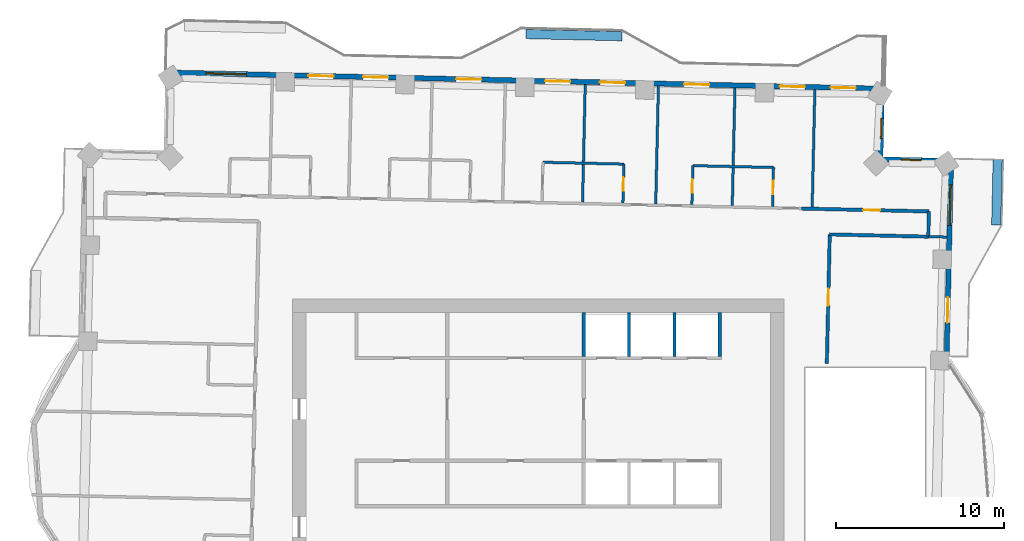
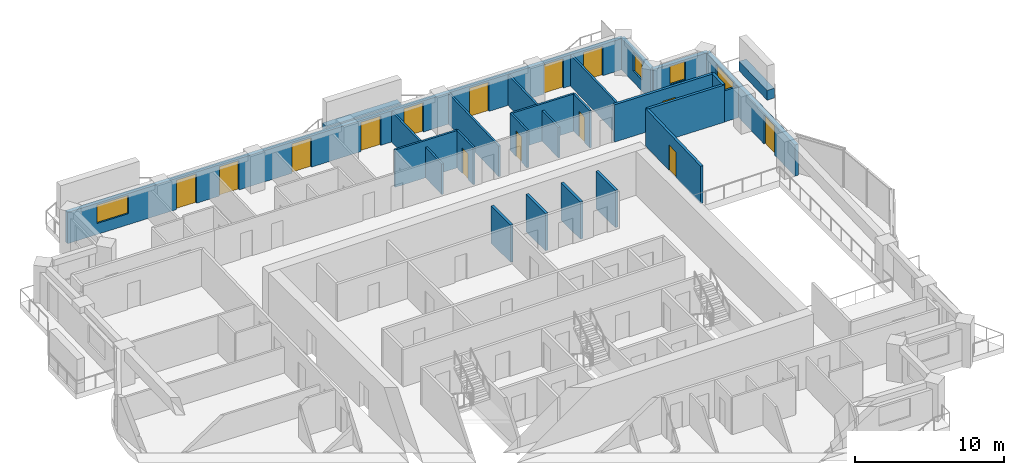
# One storey, part 11 of 16: 24 walls, 14 doors, 4 windows, 18 openings.
"""IFC4 building model written with IfcOpenShell, lengths in metres."""

from ifc_helpers import new_model, si_unit, direction, frame, frame_2d, origin, place, context, subcontext, project, spatial, rectangle, extrude, material, layer, layer_set, type_object, element, fill, save


model = new_model("IFC4")

# Units and contexts
model_context = context("Model", 3, precision=1e-05, world=origin(), true_north=direction((0.0, 1.0)))
body_context = subcontext(model_context, "Body", "Model", "MODEL_VIEW")
ifc_project = project(units=[si_unit("LENGTHUNIT", "METRE"), si_unit("AREAUNIT", "SQUARE_METRE"), si_unit("VOLUMEUNIT", "CUBIC_METRE"), si_unit("PLANEANGLEUNIT", "RADIAN"), si_unit("MASSUNIT", "GRAM", prefix="KILO")], contexts=[model_context])

# Site, building, storey
site_placement = place(None, origin())
site = spatial("IfcSite", under=ifc_project, at=site_placement, CompositionType="ELEMENT")
building_placement = place(site_placement, origin())
building = spatial("IfcBuilding", under=site, at=building_placement, Name="Mangrove Gate Tower", CompositionType="ELEMENT")
storey_placement = place(building_placement, frame((0.0, 0.0, 212.300048828125)))
storey = spatial("IfcBuildingStorey", under=building, at=storey_placement, Name="L54", CompositionType="ELEMENT", Elevation=212.300048828125)

# Walls
ifc_material_1 = material(Name="Concrete C60/75", Category="concrete")
ifc_layer_1 = layer(ifc_material_1, 0.199951171875)
ifc_layer_set_1 = layer_set([ifc_layer_1], Name="Core shaft wall 200 C60/75")
wall_type_1 = type_object("IfcWallType", Name="Core shaft wall 200 C60/75", PredefinedType="SHEAR", material=ifc_layer_set_1)
for number, where, z_axis, x_axis, name in (
    (1, (2.699951171875, 8.199951171875, 0.0), (0.0, 0.0, 1.0), (0.0, 1.0, 0.0), "WALL-L54-CORE-27"),
    (2, (5.39990234375, 8.199951171875, 0.0), (0.0, 0.0, 1.0), (0.0, 1.0, 0.0), "WALL-L54-CORE-28"),
    (3, (8.10009765625, 8.199951171875, 0.0), (0.0, 0.0, 1.0), (0.0, 1.0, 0.0), "WALL-L54-CORE-29"),
    (4, (10.800048828125, 8.199951171875, 0.0), (0.0, 0.0, 1.0), (0.0, 1.0, 0.0), "WALL-L54-CORE-30"),
):
    element("IfcWall", number, at=place(storey_placement, frame(where, z_axis=z_axis, x_axis=x_axis)), inside=storey, type_object=wall_type_1, Name=name, PredefinedType="SHEAR", context=body_context, shape_type="SweptSolid", body=[
        extrude(rectangle(XDim=2.60009765625, YDim=0.199951171875, at=frame_2d((1.300048828125, 0.0))), origin(), (0.0, 0.0, 1.0), 3.050048828125),
    ])

# Wall, opening, door
ifc_material_2 = material(Name="Gypsum board on steel stud, EI 60", Category="steel")
ifc_layer_2 = layer(ifc_material_2, 0.199951171875)
ifc_layer_set_2 = layer_set([ifc_layer_2], Name="Corridor wall EI 60")
wall_type_2 = type_object("IfcWallType", Name="Corridor wall EI 60", PredefinedType="PARTITIONING", material=ifc_layer_set_2)
wall_1_placement = place(storey_placement, frame((17.154052734375, 7.785888671875, 0.0), z_axis=(0.0, 0.0, 1.0), x_axis=(0.022680883318, 0.999742755679, 0.0)))
wall_1 = element("IfcWall", 5, at=wall_1_placement, inside=storey, type_object=wall_type_2, Name="WALL-L54-043", PredefinedType="PARTITIONING", context=body_context, shape_type="SweptSolid", body=[
    extrude(rectangle(XDim=7.6640625, YDim=0.199951171875, at=frame_2d((3.83203125, 0.0))), origin(), (0.0, 0.0, 1.0), 3.050048828125),
])
opening_1_placement = place(wall_1_placement, frame((3.43408203125, 0.0, 0.0)))
opening_1 = element("IfcOpeningElement", 6, at=opening_1_placement, cuts=wall_1, Name="Opening AD", PredefinedType="OPENING", context=body_context, shape_type="SweptSolid", body=[
    extrude(rectangle(XDim=1.0, YDim=2.10009765625, at=frame_2d((0.5, 1.050048828125))), frame((0.0, 0.10986328125, 0.0), z_axis=(0.0, -1.0, 0.0), x_axis=(1.0, 0.0, 0.0)), (0.0, 0.0, 1.0), 0.219970703125),
])
ifc_material_3 = material(Name="Timber door leaf", Category="wood")
door_type_1 = type_object("IfcDoorType", Name="Amenity door 1000", OperationType="SINGLE_SWING_LEFT", PredefinedType="DOOR", material=ifc_material_3)
door_1_placement = place(opening_1_placement, origin())
door_1 = element("IfcDoor", 7, at=door_1_placement, inside=storey, type_object=door_type_1, Name="DOOR-L54-LNG-c3b", OperationType="SINGLE_SWING_RIGHT", OverallHeight=2.10009765625, OverallWidth=1.0, PredefinedType="DOOR", context=body_context, shape_type="SweptSolid", body=[
    extrude(rectangle(XDim=1.0, YDim=2.10009765625, at=frame_2d((0.5, 1.050048828125))), frame((0.0, 0.02490234375, 0.0), z_axis=(0.0, -1.0, 0.0), x_axis=(1.0, 0.0, 0.0)), (0.0, 0.0, 1.0), 0.050048828125),
])
fill(opening_1, door_1)

# Walls
wall_2_placement = place(storey_placement, frame((17.322998046875, 15.444091796875, 0.0), z_axis=(0.0, 0.0, 1.0), x_axis=(0.999742758565, -0.022680756085, 0.0)))
element("IfcWall", 8, at=wall_2_placement, inside=storey, type_object=wall_type_2, Name="WALL-L54-047", PredefinedType="PARTITIONING", context=body_context, shape_type="SweptSolid", body=[
    extrude(rectangle(XDim=5.866455078125, YDim=0.199951171875, at=frame_2d((2.93310546875, 0.0))), origin(), (0.0, 0.0, 1.0), 3.050048828125),
])
wall_3_placement = place(storey_placement, frame((23.18603515625, 15.31494140625, 0.0), z_axis=(0.0, 0.0, 1.0), x_axis=(0.022617910375, 0.999744182344, 0.0)))
element("IfcWall", 9, at=wall_3_placement, inside=storey, type_object=wall_type_2, Name="WALL-L54-050", PredefinedType="PARTITIONING", context=body_context, shape_type="SweptSolid", body=[
    extrude(rectangle(XDim=1.50048828125, YDim=0.199951171875, at=frame_2d((0.750244140625, 0.0))), origin(), (0.0, 0.0, 1.0), 3.050048828125),
])

# Wall, opening, door
wall_4_placement = place(storey_placement, frame((15.657958984375, 16.98193359375, 0.0), z_axis=(0.0, 0.0, 1.0), x_axis=(0.99974485859, -0.022587999516, 0.0)))
wall_4 = element("IfcWall", 10, at=wall_4_placement, inside=storey, type_object=wall_type_2, Name="WALL-L54-053", PredefinedType="PARTITIONING", context=body_context, shape_type="SweptSolid", body=[
    extrude(rectangle(XDim=7.56591796875, YDim=0.199951171875, at=frame_2d((3.782958984375, 0.0))), origin(), (0.0, 0.0, 1.0), 3.050048828125),
])
opening_2_placement = place(wall_4_placement, frame((3.657958984375, 0.0, 0.0)))
opening_2 = element("IfcOpeningElement", 11, at=opening_2_placement, cuts=wall_4, Name="Opening AD", PredefinedType="OPENING", context=body_context, shape_type="SweptSolid", body=[
    extrude(rectangle(XDim=1.0, YDim=2.10009765625, at=frame_2d((0.5, 1.050048828125))), frame((0.0, 0.10986328125, 0.0), z_axis=(0.0, -1.0, 0.0), x_axis=(1.0, 0.0, 0.0)), (0.0, 0.0, 1.0), 0.219970703125),
])
door_2_placement = place(opening_2_placement, origin())
door_2 = element("IfcDoor", 12, at=door_2_placement, inside=storey, type_object=door_type_1, Name="DOOR-L54-STU-c3a", OperationType="SINGLE_SWING_LEFT", OverallHeight=2.10009765625, OverallWidth=1.0, PredefinedType="DOOR", context=body_context, shape_type="SweptSolid", body=[
    extrude(rectangle(XDim=1.0, YDim=2.10009765625, at=frame_2d((0.5, 1.050048828125))), frame((0.0, 0.02490234375, 0.0), z_axis=(0.0, -1.0, 0.0), x_axis=(1.0, 0.0, 0.0)), (0.0, 0.0, 1.0), 0.050048828125),
])
fill(opening_2, door_2)

# Wall, openings, door, window
ifc_material_4 = material(Name="Limestone", Category="masonry")
ifc_layer_3 = layer(ifc_material_4, 0.0400390625, Name="Limestone cladding")
ifc_material_5 = material(Name="Ventilated air gap")
ifc_layer_4 = layer(ifc_material_5, 0.0400390625, Name="Ventilated cavity")
ifc_material_6 = material(Name="Mineral wool insulation")
ifc_layer_5 = layer(ifc_material_6, 0.06005859375, Name="Insulation")
ifc_material_7 = material(Name="Breather membrane")
ifc_layer_6 = layer(ifc_material_7, 0.001953125, Name="Breather membrane")
ifc_material_8 = material(Name="Concrete C20/25 blockwork", Category="masonry")
ifc_layer_7 = layer(ifc_material_8, 0.14990234375, Name="Blockwork backing wall")
ifc_material_9 = material(Name="Gypsum plaster")
ifc_layer_8 = layer(ifc_material_9, 0.008056640625, Name="Internal plaster")
ifc_layer_set_3 = layer_set([ifc_layer_3, ifc_layer_4, ifc_layer_5, ifc_layer_6, ifc_layer_7, ifc_layer_8], Name="External wall 300 limestone cladding")
wall_type_3 = type_object("IfcWallType", Name="External wall 300 limestone cladding", PredefinedType="SOLIDWALL", material=ifc_layer_set_3)
wall_5_placement = place(storey_placement, frame((24.259033203125, 7.39111328125, 0.0), z_axis=(0.0, 0.0, 1.0), x_axis=(0.022696408441, 0.999742403344, 0.0)))
wall_5 = element("IfcWall", 13, at=wall_5_placement, inside=storey, type_object=wall_type_3, Name="WALL-L54-E2s1", PredefinedType="SOLIDWALL", context=body_context, shape_type="SweptSolid", body=[
    extrude(rectangle(XDim=12.424072265625, YDim=0.300048828125, at=frame_2d((6.2119140625, 0.0))), origin(), (0.0, 0.0, 1.0), 2.550048828125),
])
opening_3_placement = place(wall_5_placement, frame((2.805908203125, 0.0, 0.0)))
opening_3 = element("IfcOpeningElement", 14, at=opening_3_placement, cuts=wall_5, Name="Opening BD1", PredefinedType="OPENING", context=body_context, shape_type="SweptSolid", body=[
    extrude(rectangle(XDim=1.5, YDim=2.39990234375, at=frame_2d((0.75, 1.199951171875))), frame((0.0, 0.159912109375, 0.0), z_axis=(0.0, -1.0, 0.0), x_axis=(1.0, 0.0, 0.0)), (0.0, 0.0, 1.0), 0.320068359375),
])
opening_4_placement = place(wall_5_placement, frame((8.595947265625, 0.0, 0.89990234375)))
opening_4 = element("IfcOpeningElement", 15, at=opening_4_placement, cuts=wall_5, Name="Opening W2", PredefinedType="OPENING", context=body_context, shape_type="SweptSolid", body=[
    extrude(rectangle(XDim=2.39990234375, YDim=1.5, at=frame_2d((1.199951171875, 0.75))), frame((0.0, 0.159912109375, 0.0), z_axis=(0.0, -1.0, 0.0), x_axis=(1.0, 0.0, 0.0)), (0.0, 0.0, 1.0), 0.320068359375),
])
ifc_material_10 = material(Name="Aluminium frame with laminated clear glass", Category="aluminium")
door_type_2 = type_object("IfcDoorType", Name="Balcony sliding door 1500x2400", OperationType="SLIDING_TO_LEFT", PredefinedType="DOOR", material=ifc_material_10)
door_3_placement = place(opening_3_placement, origin())
door_3 = element("IfcDoor", 16, at=door_3_placement, inside=storey, type_object=door_type_2, Name="DOOR-L54-E2-1", OperationType="SLIDING_TO_LEFT", OverallHeight=2.39990234375, OverallWidth=1.5, PredefinedType="DOOR", context=body_context, shape_type="SweptSolid", body=[
    extrude(rectangle(XDim=1.5, YDim=2.39990234375, at=frame_2d((0.75, 1.199951171875))), frame((0.0, 0.02490234375, 0.0), z_axis=(0.0, -1.0, 0.0), x_axis=(1.0, 0.0, 0.0)), (0.0, 0.0, 1.0), 0.050048828125),
])
fill(opening_3, door_3)
ifc_material_11 = material(Name="Aluminium frame with double-glazed low-e glass", Category="aluminium")
window_type_1 = type_object("IfcWindowType", Name="Corner room window 2400x1500", PartitioningType="DOUBLE_PANEL_VERTICAL", PredefinedType="WINDOW", material=ifc_material_11)
window_1_placement = place(opening_4_placement, origin())
window_1 = element("IfcWindow", 17, at=window_1_placement, inside=storey, type_object=window_type_1, Name="WIN-L54-E2-2", OverallHeight=1.5, OverallWidth=2.39990234375, PartitioningType="DOUBLE_PANEL_VERTICAL", PredefinedType="WINDOW", context=body_context, shape_type="SweptSolid", body=[
    extrude(rectangle(XDim=2.39990234375, YDim=1.5, at=frame_2d((1.199951171875, 0.75))), frame((0.0, 0.030029296875, 0.0), z_axis=(0.0, -1.0, 0.0), x_axis=(1.0, 0.0, 0.0)), (0.0, 0.0, 1.0), 0.06005859375),
])
fill(opening_4, window_1)

# Wall, opening, window
wall_6_placement = place(storey_placement, frame((24.541015625, 19.81201171875, 0.0), z_axis=(0.0, 0.0, 1.0), x_axis=(-0.999744320311, 0.022611811187, 0.0)))
wall_6 = element("IfcWall", 18, at=wall_6_placement, inside=storey, type_object=wall_type_3, Name="WALL-L54-N3", PredefinedType="SOLIDWALL", context=body_context, shape_type="SweptSolid", body=[
    extrude(rectangle(XDim=4.199951171875, YDim=0.300048828125, at=frame_2d((2.10009765625, 0.0))), origin(), (0.0, 0.0, 1.0), 2.550048828125),
])
opening_5_placement = place(wall_6_placement, frame((1.763916015625, 0.0, 0.89990234375)))
opening_5 = element("IfcOpeningElement", 19, at=opening_5_placement, cuts=wall_6, Name="Opening W1", PredefinedType="OPENING", context=body_context, shape_type="SweptSolid", body=[
    extrude(rectangle(XDim=1.199951171875, YDim=1.5, at=frame_2d((0.60009765625, 0.75))), frame((0.0, 0.159912109375, 0.0), z_axis=(0.0, -1.0, 0.0), x_axis=(1.0, 0.0, 0.0)), (0.0, 0.0, 1.0), 0.320068359375),
])
ifc_material_12 = material(Name="Aluminium frame with double-glazed low-e glass", Category="aluminium")
window_type_2 = type_object("IfcWindowType", Name="Side lite 1200x1500", PartitioningType="SINGLE_PANEL", PredefinedType="WINDOW", material=ifc_material_12)
window_2_placement = place(opening_5_placement, origin())
window_2 = element("IfcWindow", 20, at=window_2_placement, inside=storey, type_object=window_type_2, Name="WIN-L54-N3-1", OverallHeight=1.5, OverallWidth=1.199951171875, PartitioningType="SINGLE_PANEL", PredefinedType="WINDOW", context=body_context, shape_type="SweptSolid", body=[
    extrude(rectangle(XDim=1.199951171875, YDim=1.5, at=frame_2d((0.60009765625, 0.75))), frame((0.0, 0.030029296875, 0.0), z_axis=(0.0, -1.0, 0.0), x_axis=(1.0, 0.0, 0.0)), (0.0, 0.0, 1.0), 0.06005859375),
])
fill(opening_5, window_2)

wall_7_placement = place(storey_placement, frame((20.342041015625, 19.906982421875, 0.0), z_axis=(0.0, 0.0, 1.0), x_axis=(0.022611811187, 0.999744320311, 0.0)))
wall_7 = element("IfcWall", 21, at=wall_7_placement, inside=storey, type_object=wall_type_3, Name="WALL-L54-E4", PredefinedType="SOLIDWALL", context=body_context, shape_type="SweptSolid", body=[
    extrude(rectangle(XDim=4.199951171875, YDim=0.300048828125, at=frame_2d((2.10009765625, 0.0))), origin(), (0.0, 0.0, 1.0), 2.550048828125),
])
opening_6_placement = place(wall_7_placement, frame((1.23095703125, 0.0, 0.89990234375)))
opening_6 = element("IfcOpeningElement", 22, at=opening_6_placement, cuts=wall_7, Name="Opening W1", PredefinedType="OPENING", context=body_context, shape_type="SweptSolid", body=[
    extrude(rectangle(XDim=1.199951171875, YDim=1.5, at=frame_2d((0.60009765625, 0.75))), frame((0.0, 0.159912109375, 0.0), z_axis=(0.0, -1.0, 0.0), x_axis=(1.0, 0.0, 0.0)), (0.0, 0.0, 1.0), 0.320068359375),
])
window_3_placement = place(opening_6_placement, origin())
window_3 = element("IfcWindow", 23, at=window_3_placement, inside=storey, type_object=window_type_2, Name="WIN-L54-E4-1", OverallHeight=1.5, OverallWidth=1.199951171875, PartitioningType="SINGLE_PANEL", PredefinedType="WINDOW", context=body_context, shape_type="SweptSolid", body=[
    extrude(rectangle(XDim=1.199951171875, YDim=1.5, at=frame_2d((0.60009765625, 0.75))), frame((0.0, 0.030029296875, 0.0), z_axis=(0.0, -1.0, 0.0), x_axis=(1.0, 0.0, 0.0)), (0.0, 0.0, 1.0), 0.06005859375),
])
fill(opening_6, window_3)

# Wall, openings, doors, window
wall_8_placement = place(storey_placement, frame((20.43701171875, 24.10595703125, 0.0), z_axis=(0.0, 0.0, 1.0), x_axis=(-0.999742506232, 0.022691875925, 0.0)))
wall_8 = element("IfcWall", 24, at=wall_8_placement, inside=storey, type_object=wall_type_3, Name="WALL-L54-N5", PredefinedType="SOLIDWALL", context=body_context, shape_type="SweptSolid", body=[
    extrude(rectangle(XDim=42.444091796875, YDim=0.300048828125, at=frame_2d((21.22216796875, 0.0))), origin(), (0.0, 0.0, 1.0), 2.550048828125),
])
opening_7_placement = place(wall_8_placement, frame((1.56298828125, 0.0, 0.0)))
opening_7 = element("IfcOpeningElement", 25, at=opening_7_placement, cuts=wall_8, Name="Opening BD1", PredefinedType="OPENING", context=body_context, shape_type="SweptSolid", body=[
    extrude(rectangle(XDim=1.5, YDim=2.39990234375, at=frame_2d((0.75, 1.199951171875))), frame((0.0, 0.159912109375, 0.0), z_axis=(0.0, -1.0, 0.0), x_axis=(1.0, 0.0, 0.0)), (0.0, 0.0, 1.0), 0.320068359375),
])
opening_8_placement = place(wall_8_placement, frame((4.583984375, 0.0, 0.0)))
opening_8 = element("IfcOpeningElement", 26, at=opening_8_placement, cuts=wall_8, Name="Opening BD1", PredefinedType="OPENING", context=body_context, shape_type="SweptSolid", body=[
    extrude(rectangle(XDim=1.5, YDim=2.39990234375, at=frame_2d((0.75, 1.199951171875))), frame((0.0, 0.159912109375, 0.0), z_axis=(0.0, -1.0, 0.0), x_axis=(1.0, 0.0, 0.0)), (0.0, 0.0, 1.0), 0.320068359375),
])
opening_9_placement = place(wall_8_placement, frame((10.26904296875, 0.0, 0.0)))
opening_9 = element("IfcOpeningElement", 27, at=opening_9_placement, cuts=wall_8, Name="Opening BD1", PredefinedType="OPENING", context=body_context, shape_type="SweptSolid", body=[
    extrude(rectangle(XDim=1.5, YDim=2.39990234375, at=frame_2d((0.75, 1.199951171875))), frame((0.0, 0.159912109375, 0.0), z_axis=(0.0, -1.0, 0.0), x_axis=(1.0, 0.0, 0.0)), (0.0, 0.0, 1.0), 0.320068359375),
])
opening_10_placement = place(wall_8_placement, frame((15.27099609375, 0.0, 0.0)))
opening_10 = element("IfcOpeningElement", 28, at=opening_10_placement, cuts=wall_8, Name="Opening BD1", PredefinedType="OPENING", context=body_context, shape_type="SweptSolid", body=[
    extrude(rectangle(XDim=1.5, YDim=2.39990234375, at=frame_2d((0.75, 1.199951171875))), frame((0.0, 0.159912109375, 0.0), z_axis=(0.0, -1.0, 0.0), x_axis=(1.0, 0.0, 0.0)), (0.0, 0.0, 1.0), 0.320068359375),
])
opening_11_placement = place(wall_8_placement, frame((18.532958984375, 0.0, 0.0)))
opening_11 = element("IfcOpeningElement", 29, at=opening_11_placement, cuts=wall_8, Name="Opening BD1", PredefinedType="OPENING", context=body_context, shape_type="SweptSolid", body=[
    extrude(rectangle(XDim=1.5, YDim=2.39990234375, at=frame_2d((0.75, 1.199951171875))), frame((0.0, 0.159912109375, 0.0), z_axis=(0.0, -1.0, 0.0), x_axis=(1.0, 0.0, 0.0)), (0.0, 0.0, 1.0), 0.320068359375),
])
opening_12_placement = place(wall_8_placement, frame((23.819091796875, 0.0, 0.0)))
opening_12 = element("IfcOpeningElement", 30, at=opening_12_placement, cuts=wall_8, Name="Opening BD1", PredefinedType="OPENING", context=body_context, shape_type="SweptSolid", body=[
    extrude(rectangle(XDim=1.5, YDim=2.39990234375, at=frame_2d((0.75, 1.199951171875))), frame((0.0, 0.159912109375, 0.0), z_axis=(0.0, -1.0, 0.0), x_axis=(1.0, 0.0, 0.0)), (0.0, 0.0, 1.0), 0.320068359375),
])
opening_13_placement = place(wall_8_placement, frame((29.344970703125, 0.0, 0.0)))
opening_13 = element("IfcOpeningElement", 31, at=opening_13_placement, cuts=wall_8, Name="Opening BD1", PredefinedType="OPENING", context=body_context, shape_type="SweptSolid", body=[
    extrude(rectangle(XDim=1.5, YDim=2.39990234375, at=frame_2d((0.75, 1.199951171875))), frame((0.0, 0.159912109375, 0.0), z_axis=(0.0, -1.0, 0.0), x_axis=(1.0, 0.0, 0.0)), (0.0, 0.0, 1.0), 0.320068359375),
])
opening_14_placement = place(wall_8_placement, frame((32.60693359375, 0.0, 0.0)))
opening_14 = element("IfcOpeningElement", 32, at=opening_14_placement, cuts=wall_8, Name="Opening BD1", PredefinedType="OPENING", context=body_context, shape_type="SweptSolid", body=[
    extrude(rectangle(XDim=1.5, YDim=2.39990234375, at=frame_2d((0.75, 1.199951171875))), frame((0.0, 0.159912109375, 0.0), z_axis=(0.0, -1.0, 0.0), x_axis=(1.0, 0.0, 0.0)), (0.0, 0.0, 1.0), 0.320068359375),
])
opening_15_placement = place(wall_8_placement, frame((37.782958984375, 0.0, 0.89990234375)))
opening_15 = element("IfcOpeningElement", 33, at=opening_15_placement, cuts=wall_8, Name="Opening W2", PredefinedType="OPENING", context=body_context, shape_type="SweptSolid", body=[
    extrude(rectangle(XDim=2.39990234375, YDim=1.5, at=frame_2d((1.199951171875, 0.75))), frame((0.0, 0.159912109375, 0.0), z_axis=(0.0, -1.0, 0.0), x_axis=(1.0, 0.0, 0.0)), (0.0, 0.0, 1.0), 0.320068359375),
])
door_4_placement = place(opening_7_placement, origin())
door_4 = element("IfcDoor", 34, at=door_4_placement, inside=storey, type_object=door_type_2, Name="DOOR-L54-N5-1", OperationType="SLIDING_TO_LEFT", OverallHeight=2.39990234375, OverallWidth=1.5, PredefinedType="DOOR", context=body_context, shape_type="SweptSolid", body=[
    extrude(rectangle(XDim=1.5, YDim=2.39990234375, at=frame_2d((0.75, 1.199951171875))), frame((0.0, 0.02490234375, 0.0), z_axis=(0.0, -1.0, 0.0), x_axis=(1.0, 0.0, 0.0)), (0.0, 0.0, 1.0), 0.050048828125),
])
fill(opening_7, door_4)
door_5_placement = place(opening_8_placement, origin())
door_5 = element("IfcDoor", 35, at=door_5_placement, inside=storey, type_object=door_type_2, Name="DOOR-L54-N5-2", OperationType="SLIDING_TO_LEFT", OverallHeight=2.39990234375, OverallWidth=1.5, PredefinedType="DOOR", context=body_context, shape_type="SweptSolid", body=[
    extrude(rectangle(XDim=1.5, YDim=2.39990234375, at=frame_2d((0.75, 1.199951171875))), frame((0.0, 0.02490234375, 0.0), z_axis=(0.0, -1.0, 0.0), x_axis=(1.0, 0.0, 0.0)), (0.0, 0.0, 1.0), 0.050048828125),
])
fill(opening_8, door_5)
door_6_placement = place(opening_9_placement, origin())
door_6 = element("IfcDoor", 36, at=door_6_placement, inside=storey, type_object=door_type_2, Name="DOOR-L54-N5-3", OperationType="SLIDING_TO_LEFT", OverallHeight=2.39990234375, OverallWidth=1.5, PredefinedType="DOOR", context=body_context, shape_type="SweptSolid", body=[
    extrude(rectangle(XDim=1.5, YDim=2.39990234375, at=frame_2d((0.75, 1.199951171875))), frame((0.0, 0.02490234375, 0.0), z_axis=(0.0, -1.0, 0.0), x_axis=(1.0, 0.0, 0.0)), (0.0, 0.0, 1.0), 0.050048828125),
])
fill(opening_9, door_6)
door_7_placement = place(opening_10_placement, origin())
door_7 = element("IfcDoor", 37, at=door_7_placement, inside=storey, type_object=door_type_2, Name="DOOR-L54-N5-4", OperationType="SLIDING_TO_LEFT", OverallHeight=2.39990234375, OverallWidth=1.5, PredefinedType="DOOR", context=body_context, shape_type="SweptSolid", body=[
    extrude(rectangle(XDim=1.5, YDim=2.39990234375, at=frame_2d((0.75, 1.199951171875))), frame((0.0, 0.02490234375, 0.0), z_axis=(0.0, -1.0, 0.0), x_axis=(1.0, 0.0, 0.0)), (0.0, 0.0, 1.0), 0.050048828125),
])
fill(opening_10, door_7)
door_8_placement = place(opening_11_placement, origin())
door_8 = element("IfcDoor", 38, at=door_8_placement, inside=storey, type_object=door_type_2, Name="DOOR-L54-N5-5", OperationType="SLIDING_TO_LEFT", OverallHeight=2.39990234375, OverallWidth=1.5, PredefinedType="DOOR", context=body_context, shape_type="SweptSolid", body=[
    extrude(rectangle(XDim=1.5, YDim=2.39990234375, at=frame_2d((0.75, 1.199951171875))), frame((0.0, 0.02490234375, 0.0), z_axis=(0.0, -1.0, 0.0), x_axis=(1.0, 0.0, 0.0)), (0.0, 0.0, 1.0), 0.050048828125),
])
fill(opening_11, door_8)
door_9_placement = place(opening_12_placement, origin())
door_9 = element("IfcDoor", 39, at=door_9_placement, inside=storey, type_object=door_type_2, Name="DOOR-L54-N5-6", OperationType="SLIDING_TO_LEFT", OverallHeight=2.39990234375, OverallWidth=1.5, PredefinedType="DOOR", context=body_context, shape_type="SweptSolid", body=[
    extrude(rectangle(XDim=1.5, YDim=2.39990234375, at=frame_2d((0.75, 1.199951171875))), frame((0.0, 0.02490234375, 0.0), z_axis=(0.0, -1.0, 0.0), x_axis=(1.0, 0.0, 0.0)), (0.0, 0.0, 1.0), 0.050048828125),
])
fill(opening_12, door_9)
door_10_placement = place(opening_13_placement, origin())
door_10 = element("IfcDoor", 40, at=door_10_placement, inside=storey, type_object=door_type_2, Name="DOOR-L54-N5-7", OperationType="SLIDING_TO_LEFT", OverallHeight=2.39990234375, OverallWidth=1.5, PredefinedType="DOOR", context=body_context, shape_type="SweptSolid", body=[
    extrude(rectangle(XDim=1.5, YDim=2.39990234375, at=frame_2d((0.75, 1.199951171875))), frame((0.0, 0.02490234375, 0.0), z_axis=(0.0, -1.0, 0.0), x_axis=(1.0, 0.0, 0.0)), (0.0, 0.0, 1.0), 0.050048828125),
])
fill(opening_13, door_10)
door_11_placement = place(opening_14_placement, origin())
door_11 = element("IfcDoor", 41, at=door_11_placement, inside=storey, type_object=door_type_2, Name="DOOR-L54-N5-8", OperationType="SLIDING_TO_LEFT", OverallHeight=2.39990234375, OverallWidth=1.5, PredefinedType="DOOR", context=body_context, shape_type="SweptSolid", body=[
    extrude(rectangle(XDim=1.5, YDim=2.39990234375, at=frame_2d((0.75, 1.199951171875))), frame((0.0, 0.02490234375, 0.0), z_axis=(0.0, -1.0, 0.0), x_axis=(1.0, 0.0, 0.0)), (0.0, 0.0, 1.0), 0.050048828125),
])
fill(opening_14, door_11)
window_4_placement = place(opening_15_placement, origin())
window_4 = element("IfcWindow", 42, at=window_4_placement, inside=storey, type_object=window_type_1, Name="WIN-L54-N5-9", OverallHeight=1.5, OverallWidth=2.39990234375, PartitioningType="DOUBLE_PANEL_VERTICAL", PredefinedType="WINDOW", context=body_context, shape_type="SweptSolid", body=[
    extrude(rectangle(XDim=2.39990234375, YDim=1.5, at=frame_2d((1.199951171875, 0.75))), frame((0.0, 0.030029296875, 0.0), z_axis=(0.0, -1.0, 0.0), x_axis=(1.0, 0.0, 0.0)), (0.0, 0.0, 1.0), 0.06005859375),
])
fill(opening_15, window_4)

# Walls
ifc_material_13 = material(Name="Gypsum board on steel stud, EI 60", Category="steel")
ifc_layer_9 = layer(ifc_material_13, 0.14990234375)
ifc_layer_set_4 = layer_set([ifc_layer_9], Name="Party wall 150 EI 60")
wall_type_4 = type_object("IfcWallType", Name="Party wall 150 EI 60", PredefinedType="PARTITIONING", material=ifc_layer_set_4)
wall_9_placement = place(storey_placement, frame((23.18798828125, 15.31103515625, 0.0), z_axis=(0.0, 0.0, 1.0), x_axis=(0.999738848859, -0.022852441507, 0.0)))
element("IfcWall", 43, at=wall_9_placement, inside=storey, type_object=wall_type_4, Name="WALL-L54-048", PredefinedType="PARTITIONING", context=body_context, shape_type="SweptSolid", body=[
    extrude(rectangle(XDim=1.100341796875, YDim=0.14990234375, at=frame_2d((0.55029296875, 0.0))), origin(), (0.0, 0.0, 1.0), 2.550048828125),
])
wall_10_placement = place(storey_placement, frame((2.636962890625, 17.35693359375, 0.0), z_axis=(0.0, 0.0, 1.0), x_axis=(0.022702393474, 0.999742267452, 0.0)))
element("IfcWall", 44, at=wall_10_placement, inside=storey, type_object=wall_type_4, Name="WALL-L54-063", PredefinedType="PARTITIONING", context=body_context, shape_type="SweptSolid", body=[
    extrude(rectangle(XDim=7.000732421875, YDim=0.14990234375, at=frame_2d((3.50048828125, 0.0))), origin(), (0.0, 0.0, 1.0), 2.5),
])

# Wall, opening, door
wall_11_placement = place(storey_placement, frame((5.037109375, 17.302001953125, 0.0), z_axis=(0.0, 0.0, 1.0), x_axis=(0.022781023197, 0.999740478815, 0.0)))
wall_11 = element("IfcWall", 45, at=wall_11_placement, inside=storey, type_object=wall_type_4, Name="WALL-L54-064", PredefinedType="PARTITIONING", context=body_context, shape_type="SweptSolid", body=[
    extrude(rectangle(XDim=2.325439453125, YDim=0.14990234375, at=frame_2d((1.16259765625, 0.0))), origin(), (0.0, 0.0, 1.0), 3.050048828125),
])
opening_16_placement = place(wall_11_placement, frame((0.72509765625, 0.0, 0.0)))
opening_16 = element("IfcOpeningElement", 46, at=opening_16_placement, cuts=wall_11, Name="Opening ED", PredefinedType="OPENING", context=body_context, shape_type="SweptSolid", body=[
    extrude(rectangle(XDim=0.800048828125, YDim=2.10009765625, at=frame_2d((0.39990234375, 1.050048828125))), frame((0.0, 0.0849609375, 0.0), z_axis=(0.0, -1.0, 0.0), x_axis=(1.0, 0.0, 0.0)), (0.0, 0.0, 1.0), 0.169921875),
])
ifc_material_14 = material(Name="Timber door leaf", Category="wood")
door_type_3 = type_object("IfcDoorType", Name="En-suite door 800", OperationType="SINGLE_SWING_LEFT", PredefinedType="DOOR", material=ifc_material_14)
door_12_placement = place(opening_16_placement, origin())
door_12 = element("IfcDoor", 47, at=door_12_placement, inside=storey, type_object=door_type_3, Name="DOOR-L54-ENS-c410", OperationType="SINGLE_SWING_RIGHT", OverallHeight=2.10009765625, OverallWidth=0.800048828125, PredefinedType="DOOR", context=body_context, shape_type="SweptSolid", body=[
    extrude(rectangle(XDim=0.800048828125, YDim=2.10009765625, at=frame_2d((0.39990234375, 1.050048828125))), frame((0.0, 0.02490234375, 0.0), z_axis=(0.0, -1.0, 0.0), x_axis=(1.0, 0.0, 0.0)), (0.0, 0.0, 1.0), 0.050048828125),
])
fill(opening_16, door_12)

# Wall
wall_12_placement = place(storey_placement, frame((6.986083984375, 17.258056640625, 0.0), z_axis=(0.0, 0.0, 1.0), x_axis=(0.022699227919, 0.999742339331, 0.0)))
element("IfcWall", 48, at=wall_12_placement, inside=storey, type_object=wall_type_4, Name="WALL-L54-065", PredefinedType="PARTITIONING", context=body_context, shape_type="SweptSolid", body=[
    extrude(rectangle(XDim=7.001708984375, YDim=0.14990234375, at=frame_2d((3.5009765625, 0.0))), origin(), (0.0, 0.0, 1.0), 2.5),
])

# Wall, opening, door
wall_13_placement = place(storey_placement, frame((9.135986328125, 17.208984375, 0.0), z_axis=(0.0, 0.0, 1.0), x_axis=(0.022781023197, 0.999740478815, 0.0)))
wall_13 = element("IfcWall", 49, at=wall_13_placement, inside=storey, type_object=wall_type_4, Name="WALL-L54-066", PredefinedType="PARTITIONING", context=body_context, shape_type="SweptSolid", body=[
    extrude(rectangle(XDim=2.325439453125, YDim=0.14990234375, at=frame_2d((1.16259765625, 0.0))), origin(), (0.0, 0.0, 1.0), 3.050048828125),
])
opening_17_placement = place(wall_13_placement, frame((0.72509765625, 0.0, 0.0)))
opening_17 = element("IfcOpeningElement", 50, at=opening_17_placement, cuts=wall_13, Name="Opening ED", PredefinedType="OPENING", context=body_context, shape_type="SweptSolid", body=[
    extrude(rectangle(XDim=0.800048828125, YDim=2.10009765625, at=frame_2d((0.39990234375, 1.050048828125))), frame((0.0, 0.0849609375, 0.0), z_axis=(0.0, -1.0, 0.0), x_axis=(1.0, 0.0, 0.0)), (0.0, 0.0, 1.0), 0.169921875),
])
door_13_placement = place(opening_17_placement, origin())
door_13 = element("IfcDoor", 51, at=door_13_placement, inside=storey, type_object=door_type_3, Name="DOOR-L54-ENS-c309", OperationType="SINGLE_SWING_LEFT", OverallHeight=2.10009765625, OverallWidth=0.800048828125, PredefinedType="DOOR", context=body_context, shape_type="SweptSolid", body=[
    extrude(rectangle(XDim=0.800048828125, YDim=2.10009765625, at=frame_2d((0.39990234375, 1.050048828125))), frame((0.0, 0.02490234375, 0.0), z_axis=(0.0, -1.0, 0.0), x_axis=(1.0, 0.0, 0.0)), (0.0, 0.0, 1.0), 0.050048828125),
])
fill(opening_17, door_13)

# Wall
wall_14_placement = place(storey_placement, frame((11.534912109375, 17.155029296875, 0.0), z_axis=(0.0, 0.0, 1.0), x_axis=(0.022737248567, 0.999741475346, 0.0)))
element("IfcWall", 52, at=wall_14_placement, inside=storey, type_object=wall_type_4, Name="WALL-L54-067", PredefinedType="PARTITIONING", context=body_context, shape_type="SweptSolid", body=[
    extrude(rectangle(XDim=7.000732421875, YDim=0.14990234375, at=frame_2d((3.50048828125, 0.0))), origin(), (0.0, 0.0, 1.0), 2.5),
])

# Wall, opening, door
wall_15_placement = place(storey_placement, frame((13.93505859375, 17.10107421875, 0.0), z_axis=(0.0, 0.0, 1.0), x_axis=(0.022370700241, 0.999749744571, 0.0)))
wall_15 = element("IfcWall", 53, at=wall_15_placement, inside=storey, type_object=wall_type_4, Name="WALL-L54-068", PredefinedType="PARTITIONING", context=body_context, shape_type="SweptSolid", body=[
    extrude(rectangle(XDim=2.324462890625, YDim=0.14990234375, at=frame_2d((1.162109375, 0.0))), origin(), (0.0, 0.0, 1.0), 3.050048828125),
])
opening_18_placement = place(wall_15_placement, frame((0.72509765625, 0.0, 0.0)))
opening_18 = element("IfcOpeningElement", 54, at=opening_18_placement, cuts=wall_15, Name="Opening ED", PredefinedType="OPENING", context=body_context, shape_type="SweptSolid", body=[
    extrude(rectangle(XDim=0.800048828125, YDim=2.10009765625, at=frame_2d((0.39990234375, 1.050048828125))), frame((0.0, 0.0849609375, 0.0), z_axis=(0.0, -1.0, 0.0), x_axis=(1.0, 0.0, 0.0)), (0.0, 0.0, 1.0), 0.169921875),
])
door_14_placement = place(opening_18_placement, origin())
door_14 = element("IfcDoor", 55, at=door_14_placement, inside=storey, type_object=door_type_3, Name="DOOR-L54-ENS-c308", OperationType="SINGLE_SWING_RIGHT", OverallHeight=2.10009765625, OverallWidth=0.800048828125, PredefinedType="DOOR", context=body_context, shape_type="SweptSolid", body=[
    extrude(rectangle(XDim=0.800048828125, YDim=2.10009765625, at=frame_2d((0.39990234375, 1.050048828125))), frame((0.0, 0.02490234375, 0.0), z_axis=(0.0, -1.0, 0.0), x_axis=(1.0, 0.0, 0.0)), (0.0, 0.0, 1.0), 0.050048828125),
])
fill(opening_18, door_14)

# Walls
wall_16_placement = place(storey_placement, frame((16.283935546875, 17.072021484375, 0.0), z_axis=(0.0, 0.0, 1.0), x_axis=(0.022815200701, 0.99973969943, 0.0)))
element("IfcWall", 56, at=wall_16_placement, inside=storey, type_object=wall_type_4, Name="WALL-L54-069", PredefinedType="PARTITIONING", context=body_context, shape_type="SweptSolid", body=[
    extrude(rectangle(XDim=6.976806640625, YDim=0.14990234375, at=frame_2d((3.48828125, 0.0))), origin(), (0.0, 0.0, 1.0), 2.550048828125),
])
wall_17_placement = place(storey_placement, frame((0.2890625, 19.73193359375, 0.0), z_axis=(0.0, 0.0, 1.0), x_axis=(0.999742570398, -0.022689048768, 0.0)))
element("IfcWall", 57, at=wall_17_placement, inside=storey, type_object=wall_type_4, Name="WALL-L54-073", PredefinedType="PARTITIONING", context=body_context, shape_type="SweptSolid", body=[
    extrude(rectangle(XDim=4.799072265625, YDim=0.14990234375, at=frame_2d((2.3994140625, 0.0))), origin(), (0.0, 0.0, 1.0), 3.050048828125),
])
wall_18_placement = place(storey_placement, frame((9.18603515625, 19.530029296875, 0.0), z_axis=(0.0, 0.0, 1.0), x_axis=(0.99974154664, -0.022734113616, 0.0)))
element("IfcWall", 58, at=wall_18_placement, inside=storey, type_object=wall_type_4, Name="WALL-L54-074", PredefinedType="PARTITIONING", context=body_context, shape_type="SweptSolid", body=[
    extrude(rectangle(XDim=4.80029296875, YDim=0.14990234375, at=frame_2d((2.400146484375, 0.0))), origin(), (0.0, 0.0, 1.0), 3.050048828125),
])
ifc_material_15 = material(Name="Concrete C32/40", Category="concrete")
ifc_layer_10 = layer(ifc_material_15, 0.199951171875, Name="Planter trough wall")
ifc_material_16 = material(Name="Bituminous waterproofing membrane")
ifc_layer_11 = layer(ifc_material_16, 0.0048828125, Name="Waterproofing")
ifc_material_17 = material(Name="Drainage board and gravel")
ifc_layer_12 = layer(ifc_material_17, 0.044921875, Name="Drainage layer")
ifc_material_18 = material(Name="Planting soil")
ifc_layer_13 = layer(ifc_material_18, 0.300048828125, Name="Growing medium")
ifc_layer_set_5 = layer_set([ifc_layer_10, ifc_layer_11, ifc_layer_12, ifc_layer_13], Name="Planter wall 550 C32/40")
wall_type_5 = type_object("IfcWallType", Name="Planter wall 550 C32/40", PredefinedType="USERDEFINED", material=ifc_layer_set_5)
wall_19_placement = place(storey_placement, frame((27.219970703125, 16.0, 0.0), z_axis=(0.0, 0.0, 1.0), x_axis=(0.022599111039, 0.999744607477, 0.0)))
element("IfcWall", 59, at=wall_19_placement, inside=storey, type_object=wall_type_5, Name="PLANTER L54 E1.1", ObjectType="PLANTER", PredefinedType="USERDEFINED", context=body_context, shape_type="SweptSolid", body=[
    extrude(rectangle(XDim=3.89990234375, YDim=0.550048828125, at=frame_2d((1.949951171875, 0.0))), origin(), (0.0, 0.0, 1.0), 0.800048828125),
])
wall_20_placement = place(storey_placement, frame((-0.716064453125, 27.35205078125, 0.0), z_axis=(0.0, 0.0, 1.0), x_axis=(0.999739330573, -0.02283135795, 0.0)))
element("IfcWall", 60, at=wall_20_placement, inside=storey, type_object=wall_type_5, Name="PLANTER L54 N0.1", ObjectType="PLANTER", PredefinedType="USERDEFINED", context=body_context, shape_type="SweptSolid", body=[
    extrude(rectangle(XDim=5.699462890625, YDim=0.550048828125, at=frame_2d((2.849609375, 0.0))), origin(), (0.0, 0.0, 1.0), 0.800048828125),
])

save(model, "model.ifc")
